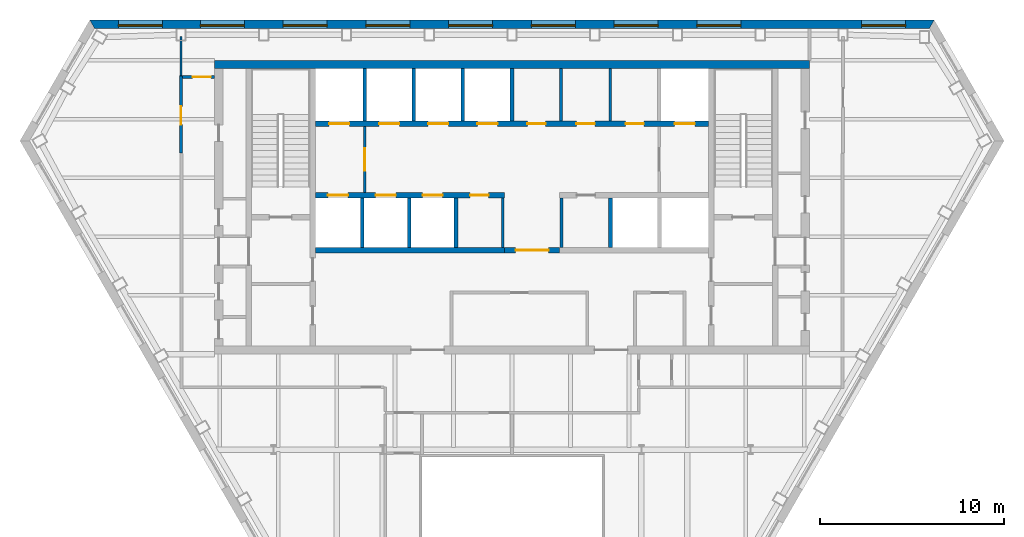
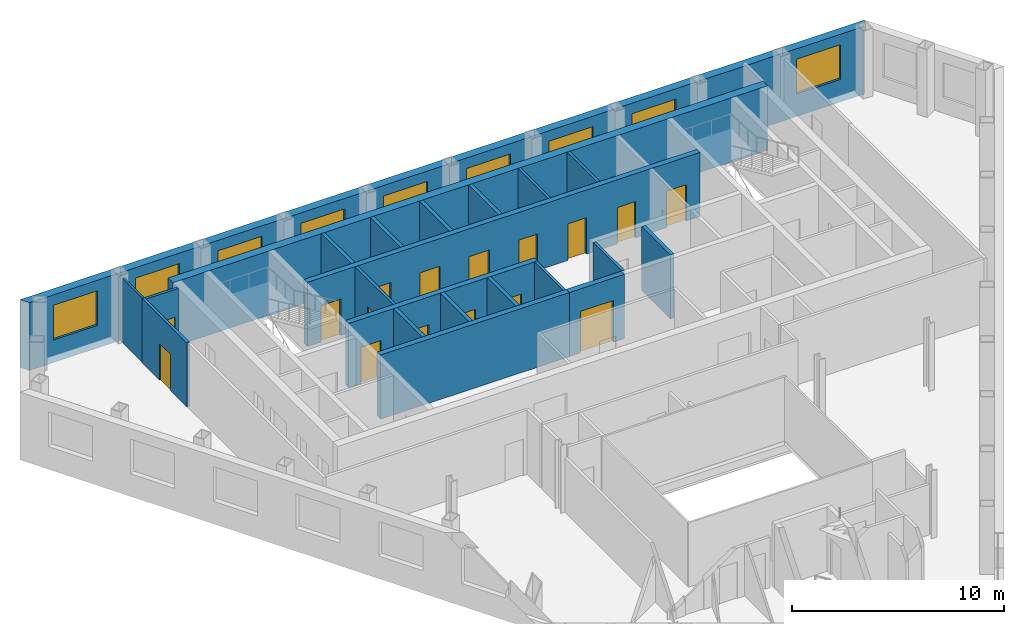
# One storey, part 6 of 10: 22 walls, 16 doors, 9 windows, 25 openings.
"""IFC4 building model written with IfcOpenShell, lengths in metres."""

from ifc_helpers import new_model, si_unit, direction, frame, frame_2d, origin, place, context, subcontext, project, spatial, polyline, rectangle, outline, extrude, material, layer, layer_set, type_object, element, fill, save


model = new_model("IFC4")

# Units and contexts
model_context = context("Model", 3, precision=1e-05, world=origin(), true_north=direction((0.0, 1.0)))
body_context = subcontext(model_context, "Body", "Model", "MODEL_VIEW")
ifc_project = project(units=[si_unit("LENGTHUNIT", "METRE"), si_unit("AREAUNIT", "SQUARE_METRE"), si_unit("VOLUMEUNIT", "CUBIC_METRE"), si_unit("PLANEANGLEUNIT", "RADIAN"), si_unit("MASSUNIT", "GRAM", prefix="KILO")], contexts=[model_context])

# Site, building, storey
site_placement = place(None, origin())
site = spatial("IfcSite", under=ifc_project, at=site_placement, CompositionType="ELEMENT")
building_placement = place(site_placement, origin())
building = spatial("IfcBuilding", under=site, at=building_placement, Name="Njiva Tower", CompositionType="ELEMENT")
storey_placement = place(building_placement, frame((0.0, 0.0, 196.5)))
storey = spatial("IfcBuildingStorey", under=building, at=storey_placement, Name="L43", CompositionType="ELEMENT", Elevation=196.5)

# Walls
ifc_material_1 = material(Name="Blockwork", Category="masonry")
ifc_layer_1 = layer(ifc_material_1, 0.15)
ifc_layer_set_1 = layer_set([ifc_layer_1], Name="Blockwork")
wall_type_1 = type_object("IfcWallType", Name="WT1 Compartment partition 150", PredefinedType="PARTITIONING", material=ifc_layer_set_1)
for number, where, z_axis, x_axis, name in (
    (1, (2.675, 14.7, 0.0), (0.0, 0.0, 1.0), (0.0, 1.0, 0.0), "Partition CN5"),
    (2, (5.35, 14.7, 0.0), (0.0, 0.0, 1.0), (0.0, 1.0, 0.0), "Partition CN6"),
):
    element("IfcWall", number, at=place(storey_placement, frame(where, z_axis=z_axis, x_axis=x_axis)), inside=storey, type_object=wall_type_1, Name=name, PredefinedType="PARTITIONING", context=body_context, shape_type="SweptSolid", body=[
        extrude(rectangle(XDim=2.85, YDim=0.15, at=frame_2d((1.425, 0.0))), origin(), (0.0, 0.0, 1.0), 3.7),
    ])
for number, where, z_axis, x_axis, name in (
    (3, (-0.5, 7.8, 0.0), (0.0, 0.0, 1.0), (0.0, 1.0, 0.0), "Partition CS4"),
    (4, (2.7, 7.8, 0.0), (0.0, 0.0, 1.0), (0.0, 1.0, 0.0), "Partition CS5"),
):
    element("IfcWall", number, at=place(storey_placement, frame(where, z_axis=z_axis, x_axis=x_axis)), inside=storey, type_object=wall_type_1, Name=name, PredefinedType="PARTITIONING", context=body_context, shape_type="SweptSolid", body=[
        extrude(rectangle(XDim=2.7, YDim=0.15, at=frame_2d((1.35, 0.0))), origin(), (0.0, 0.0, 1.0), 3.7),
    ])
ifc_material_2 = material(Name="Concrete C60/75", Category="concrete")
ifc_layer_2 = layer(ifc_material_2, 0.45)
ifc_layer_set_2 = layer_set([ifc_layer_2], Name="Concrete C60/75")
wall_type_2 = type_object("IfcWallType", Name="WT12 Core wall 450", PredefinedType="SHEAR", material=ifc_layer_set_2)
wall_1_placement = place(storey_placement, frame((-16.2, 17.775, 0.0), z_axis=(0.0, 0.0, 1.0), x_axis=(1.0, 0.0, 0.0)))
element("IfcWall", 5, at=wall_1_placement, inside=storey, type_object=wall_type_2, Name="Core wall north", PredefinedType="SHEAR", context=body_context, shape_type="SweptSolid", body=[
    extrude(rectangle(XDim=32.4, YDim=0.45, at=frame_2d((16.2, 0.0))), origin(), (0.0, 0.0, 1.0), 3.7),
])

# Wall, opening, door
ifc_layer_3 = layer(ifc_material_1, 0.15)
ifc_layer_set_3 = layer_set([ifc_layer_3], Name="Blockwork")
wall_type_3 = type_object("IfcWallType", Name="WT2 Lobby partition 150", PredefinedType="PARTITIONING", material=ifc_layer_set_3)
wall_2_placement = place(storey_placement, frame((-8.025, 10.8, 0.0), z_axis=(0.0, 0.0, 1.0), x_axis=(0.0, 1.0, 0.0)))
wall_2 = element("IfcWall", 6, at=wall_2_placement, inside=storey, type_object=wall_type_3, Name="Firefighting lobby wall A", PredefinedType="PARTITIONING", context=body_context, shape_type="SweptSolid", body=[
    extrude(rectangle(XDim=3.6, YDim=0.15, at=frame_2d((1.8, 0.0))), origin(), (0.0, 0.0, 1.0), 3.7),
])
opening_1_placement = place(wall_2_placement, frame((1.175, 0.0, 0.0)))
opening_1 = element("IfcOpeningElement", 7, at=opening_1_placement, cuts=wall_2, Name="Opening S14-D914", PredefinedType="OPENING", context=body_context, shape_type="SweptSolid", body=[
    extrude(rectangle(XDim=1.25, YDim=2.1, at=frame_2d((0.625, 1.05))), frame((0.0, 0.085, 0.0), z_axis=(0.0, -1.0, 0.0), x_axis=(1.0, 0.0, 0.0)), (0.0, 0.0, 1.0), 0.17),
])
ifc_material_3 = material(Name="Glazed steel fire door", Category="steel")
door_type_1 = type_object("IfcDoorType", Name="D8 Vestibule corridor door 1250x2100 glazed", OperationType="SINGLE_SWING_LEFT", PredefinedType="DOOR", material=ifc_material_3)
door_1_placement = place(opening_1_placement, origin())
door_1 = element("IfcDoor", 8, at=door_1_placement, inside=storey, type_object=door_type_1, Name="Stair vestibule corridor door", OperationType="SINGLE_SWING_RIGHT", OverallHeight=2.1, OverallWidth=1.25, PredefinedType="DOOR", context=body_context, shape_type="SweptSolid", body=[
    extrude(rectangle(XDim=1.25, YDim=2.1, at=frame_2d((0.625, 1.05))), frame((0.0, 0.025, 0.0), z_axis=(0.0, -1.0, 0.0), x_axis=(1.0, 0.0, 0.0)), (0.0, 0.0, 1.0), 0.05),
])
fill(opening_1, door_1)

# Wall
ifc_material_4 = material(Name="Gypsum board on steel studs", Category="gypsum")
ifc_layer_4 = layer(ifc_material_4, 0.1)
ifc_layer_set_4 = layer_set([ifc_layer_4], Name="Gypsum board on steel studs")
wall_type_4 = type_object("IfcWallType", Name="WT20 Gypsum partition 100", PredefinedType="PARTITIONING", material=ifc_layer_set_4)
wall_3_placement = place(storey_placement, frame((-18.031, 17.168, 0.0), z_axis=(0.0, 0.0, 1.0), x_axis=(0.0, 1.0, 0.0)))
element("IfcWall", 9, at=wall_3_placement, inside=storey, type_object=wall_type_4, Name="Partition S14-P002", PredefinedType="PARTITIONING", context=body_context, shape_type="SweptSolid", body=[
    extrude(rectangle(XDim=2.132, YDim=0.1, at=frame_2d((1.066, 0.0))), origin(), (0.0, 0.0, 1.0), 3.7),
])

# Wall, opening, door
ifc_layer_5 = layer(ifc_material_4, 0.15)
ifc_layer_set_5 = layer_set([ifc_layer_5], Name="Gypsum board on steel studs")
wall_type_5 = type_object("IfcWallType", Name="WT21 Compartment wall 150", PredefinedType="PARTITIONING", material=ifc_layer_set_5)
wall_4_placement = place(storey_placement, frame((-18.031, 12.943, 0.0), z_axis=(0.0, 0.0, 1.0), x_axis=(0.0, 1.0, 0.0)))
wall_4 = element("IfcWall", 10, at=wall_4_placement, inside=storey, type_object=wall_type_5, Name="Partition S14-P001", PredefinedType="PARTITIONING", context=body_context, shape_type="SweptSolid", body=[
    extrude(rectangle(XDim=4.225, YDim=0.15, at=frame_2d((2.1125, 0.0))), origin(), (0.0, 0.0, 1.0), 3.7),
])
opening_2_placement = place(wall_4_placement, frame((1.556, 0.0, 0.0)))
opening_2 = element("IfcOpeningElement", 11, at=opening_2_placement, cuts=wall_4, Name="Opening S14-D001", PredefinedType="OPENING", context=body_context, shape_type="SweptSolid", body=[
    extrude(rectangle(XDim=1.0, YDim=2.1, at=frame_2d((0.5, 1.05))), frame((0.0, 0.085, 0.0), z_axis=(0.0, -1.0, 0.0), x_axis=(1.0, 0.0, 0.0)), (0.0, 0.0, 1.0), 0.17),
])
ifc_material_5 = material(Name="Steel fire door set", Category="steel")
door_type_2 = type_object("IfcDoorType", Name="D37 Fire door 1000x2100", OperationType="SINGLE_SWING_LEFT", PredefinedType="DOOR", material=ifc_material_5)
door_2_placement = place(opening_2_placement, origin())
door_2 = element("IfcDoor", 12, at=door_2_placement, inside=storey, type_object=door_type_2, Name="Door S14-D001", OperationType="SINGLE_SWING_LEFT", OverallHeight=2.1, OverallWidth=1.0, PredefinedType="DOOR", context=body_context, shape_type="SweptSolid", body=[
    extrude(rectangle(XDim=1.0, YDim=2.1, at=frame_2d((0.5, 1.05))), frame((0.0, 0.025, 0.0), z_axis=(0.0, -1.0, 0.0), x_axis=(1.0, 0.0, 0.0)), (0.0, 0.0, 1.0), 0.05),
])
fill(opening_2, door_2)

wall_5_placement = place(storey_placement, frame((-17.956, 17.093, 0.0), z_axis=(0.0, 0.0, 1.0), x_axis=(1.0, 0.0, 0.0)))
wall_5 = element("IfcWall", 13, at=wall_5_placement, inside=storey, type_object=wall_type_5, Name="Partition S14-P004", PredefinedType="PARTITIONING", context=body_context, shape_type="SweptSolid", body=[
    extrude(rectangle(XDim=1.756, YDim=0.15, at=frame_2d((0.878, 0.0))), origin(), (0.0, 0.0, 1.0), 3.7),
])
opening_3_placement = place(wall_5_placement, frame((0.556, 0.0, 0.0)))
opening_3 = element("IfcOpeningElement", 14, at=opening_3_placement, cuts=wall_5, Name="Opening S14-D002", PredefinedType="OPENING", context=body_context, shape_type="SweptSolid", body=[
    extrude(rectangle(XDim=1.0, YDim=2.1, at=frame_2d((0.5, 1.05))), frame((0.0, 0.085, 0.0), z_axis=(0.0, -1.0, 0.0), x_axis=(1.0, 0.0, 0.0)), (0.0, 0.0, 1.0), 0.17),
])
door_3_placement = place(opening_3_placement, origin())
door_3 = element("IfcDoor", 15, at=door_3_placement, inside=storey, type_object=door_type_2, Name="Door S14-D002", OperationType="SINGLE_SWING_LEFT", OverallHeight=2.1, OverallWidth=1.0, PredefinedType="DOOR", context=body_context, shape_type="SweptSolid", body=[
    extrude(rectangle(XDim=1.0, YDim=2.1, at=frame_2d((0.5, 1.05))), frame((0.0, 0.025, 0.0), z_axis=(0.0, -1.0, 0.0), x_axis=(1.0, 0.0, 0.0)), (0.0, 0.0, 1.0), 0.05),
])
fill(opening_3, door_3)

ifc_layer_6 = layer(ifc_material_1, 0.3)
ifc_layer_set_6 = layer_set([ifc_layer_6], Name="Blockwork")
wall_type_6 = type_object("IfcWallType", Name="WT5 Lobby partition 300", PredefinedType="PARTITIONING", material=ifc_layer_set_6)
wall_6_placement = place(storey_placement, frame((-0.4, 7.65, 0.0), z_axis=(0.0, 0.0, 1.0), x_axis=(1.0, 0.0, 0.0)))
wall_6 = element("IfcWall", 16, at=wall_6_placement, inside=storey, type_object=wall_type_6, Name="Lift lobby screen wall", PredefinedType="PARTITIONING", context=body_context, shape_type="SweptSolid", body=[
    extrude(rectangle(XDim=3.0, YDim=0.3, at=frame_2d((1.5, 0.0))), origin(), (0.0, 0.0, 1.0), 3.7),
])
opening_4_placement = place(wall_6_placement, frame((0.6, 0.0, 0.0)))
opening_4 = element("IfcOpeningElement", 17, at=opening_4_placement, cuts=wall_6, Name="Opening S14-D936", PredefinedType="OPENING", context=body_context, shape_type="SweptSolid", body=[
    extrude(rectangle(XDim=1.8, YDim=2.4, at=frame_2d((0.9, 1.2))), frame((0.0, 0.16, 0.0), z_axis=(0.0, -1.0, 0.0), x_axis=(1.0, 0.0, 0.0)), (0.0, 0.0, 1.0), 0.32),
])
ifc_material_6 = material(Name="Steel and glass door", Category="steel")
door_type_3 = type_object("IfcDoorType", Name="D3 Core entrance door 1800x2400", OperationType="DOUBLE_DOOR_SINGLE_SWING", PredefinedType="DOOR", material=ifc_material_6)
door_4_placement = place(opening_4_placement, origin())
door_4 = element("IfcDoor", 18, at=door_4_placement, inside=storey, type_object=door_type_3, Name="Core entrance door", OperationType="DOUBLE_DOOR_SINGLE_SWING", OverallHeight=2.4, OverallWidth=1.8, PredefinedType="DOOR", context=body_context, shape_type="SweptSolid", body=[
    extrude(rectangle(XDim=1.8, YDim=2.4, at=frame_2d((0.9, 1.2))), frame((0.0, 0.025, 0.0), z_axis=(0.0, -1.0, 0.0), x_axis=(1.0, 0.0, 0.0)), (0.0, 0.0, 1.0), 0.05),
])
fill(opening_4, door_4)

# Walls
ifc_material_7 = material(Name="Concrete C40/50", Category="concrete")
ifc_layer_7 = layer(ifc_material_7, 0.2)
ifc_layer_set_7 = layer_set([ifc_layer_7], Name="Concrete C40/50")
wall_type_7 = type_object("IfcWallType", Name="WT6 Lift shaft wall 200", PredefinedType="SHEAR", material=ifc_layer_set_7)
for number, where, z_axis, x_axis, name in (
    (19, (-8.025, 14.7, 0.0), (0.0, 0.0, 1.0), (0.0, 1.0, 0.0), "Shaft wall CN1"),
    (20, (-5.35, 14.7, 0.0), (0.0, 0.0, 1.0), (0.0, 1.0, 0.0), "Shaft wall CN2"),
    (21, (-2.675, 14.7, 0.0), (0.0, 0.0, 1.0), (0.0, 1.0, 0.0), "Shaft wall CN3"),
    (22, (0.0, 14.7, 0.0), (0.0, 0.0, 1.0), (0.0, 1.0, 0.0), "Shaft wall CN4"),
):
    element("IfcWall", number, at=place(storey_placement, frame(where, z_axis=z_axis, x_axis=x_axis)), inside=storey, type_object=wall_type_7, Name=name, PredefinedType="SHEAR", context=body_context, shape_type="SweptSolid", body=[
        extrude(rectangle(XDim=2.85, YDim=0.2, at=frame_2d((1.425, 0.0))), origin(), (0.0, 0.0, 1.0), 3.7),
    ])
for number, where, z_axis, x_axis, name in (
    (23, (-8.15, 7.8, 0.0), (0.0, 0.0, 1.0), (0.0, 1.0, 0.0), "Shaft wall CS1"),
    (24, (-5.6, 7.8, 0.0), (0.0, 0.0, 1.0), (0.0, 1.0, 0.0), "Shaft wall CS2"),
    (25, (-3.05, 7.8, 0.0), (0.0, 0.0, 1.0), (0.0, 1.0, 0.0), "Shaft wall CS3"),
    (26, (5.3667, 7.8, 0.0), (0.0, 0.0, 1.0), (0.0, 1.0, 0.0), "Shaft wall CS6"),
):
    element("IfcWall", number, at=place(storey_placement, frame(where, z_axis=z_axis, x_axis=x_axis)), inside=storey, type_object=wall_type_7, Name=name, PredefinedType="SHEAR", context=body_context, shape_type="SweptSolid", body=[
        extrude(rectangle(XDim=2.7, YDim=0.2, at=frame_2d((1.35, 0.0))), origin(), (0.0, 0.0, 1.0), 3.7),
    ])

# Wall, openings, doors
ifc_layer_8 = layer(ifc_material_7, 0.3)
ifc_layer_set_8 = layer_set([ifc_layer_8], Name="Concrete C40/50")
wall_type_8 = type_object("IfcWallType", Name="WT7 Lift shaft wall 300", PredefinedType="SHEAR", material=ifc_layer_set_8)
wall_7_placement = place(storey_placement, frame((-10.7, 14.55, 0.0), z_axis=(0.0, 0.0, 1.0), x_axis=(1.0, 0.0, 0.0)))
wall_7 = element("IfcWall", 27, at=wall_7_placement, inside=storey, type_object=wall_type_8, Name="Shaft wall north row lobby side", PredefinedType="SHEAR", context=body_context, shape_type="SweptSolid", body=[
    extrude(rectangle(XDim=21.4, YDim=0.3, at=frame_2d((10.7, 0.0))), origin(), (0.0, 0.0, 1.0), 3.7),
])
opening_5_placement = place(wall_7_placement, frame((0.7375, 0.0, 0.0)))
opening_5 = element("IfcOpeningElement", 28, at=opening_5_placement, cuts=wall_7, Name="Opening S14-D901", PredefinedType="OPENING", context=body_context, shape_type="SweptSolid", body=[
    extrude(rectangle(XDim=1.1, YDim=2.1, at=frame_2d((0.55, 1.05))), frame((0.0, 0.16, 0.0), z_axis=(0.0, -1.0, 0.0), x_axis=(1.0, 0.0, 0.0)), (0.0, 0.0, 1.0), 0.32),
])
opening_6_placement = place(wall_7_placement, frame((3.4625, 0.0, 0.0)))
opening_6 = element("IfcOpeningElement", 29, at=opening_6_placement, cuts=wall_7, Name="Opening S14-D902", PredefinedType="OPENING", context=body_context, shape_type="SweptSolid", body=[
    extrude(rectangle(XDim=1.1, YDim=2.1, at=frame_2d((0.55, 1.05))), frame((0.0, 0.16, 0.0), z_axis=(0.0, -1.0, 0.0), x_axis=(1.0, 0.0, 0.0)), (0.0, 0.0, 1.0), 0.32),
])
opening_7_placement = place(wall_7_placement, frame((6.1375, 0.0, 0.0)))
opening_7 = element("IfcOpeningElement", 30, at=opening_7_placement, cuts=wall_7, Name="Opening S14-D903", PredefinedType="OPENING", context=body_context, shape_type="SweptSolid", body=[
    extrude(rectangle(XDim=1.1, YDim=2.1, at=frame_2d((0.55, 1.05))), frame((0.0, 0.16, 0.0), z_axis=(0.0, -1.0, 0.0), x_axis=(1.0, 0.0, 0.0)), (0.0, 0.0, 1.0), 0.32),
])
opening_8_placement = place(wall_7_placement, frame((8.8125, 0.0, 0.0)))
opening_8 = element("IfcOpeningElement", 31, at=opening_8_placement, cuts=wall_7, Name="Opening S14-D904", PredefinedType="OPENING", context=body_context, shape_type="SweptSolid", body=[
    extrude(rectangle(XDim=1.1, YDim=2.1, at=frame_2d((0.55, 1.05))), frame((0.0, 0.16, 0.0), z_axis=(0.0, -1.0, 0.0), x_axis=(1.0, 0.0, 0.0)), (0.0, 0.0, 1.0), 0.32),
])
opening_9_placement = place(wall_7_placement, frame((19.5625, 0.0, 0.0)))
opening_9 = element("IfcOpeningElement", 32, at=opening_9_placement, cuts=wall_7, Name="Opening S14-D905", PredefinedType="OPENING", context=body_context, shape_type="SweptSolid", body=[
    extrude(rectangle(XDim=1.1, YDim=2.1, at=frame_2d((0.55, 1.05))), frame((0.0, 0.16, 0.0), z_axis=(0.0, -1.0, 0.0), x_axis=(1.0, 0.0, 0.0)), (0.0, 0.0, 1.0), 0.32),
])
opening_10_placement = place(wall_7_placement, frame((11.5375, 0.0, 0.0)))
opening_10 = element("IfcOpeningElement", 33, at=opening_10_placement, cuts=wall_7, Name="Opening S14-D909", PredefinedType="OPENING", context=body_context, shape_type="SweptSolid", body=[
    extrude(rectangle(XDim=1.0, YDim=2.1, at=frame_2d((0.5, 1.05))), frame((0.0, 0.16, 0.0), z_axis=(0.0, -1.0, 0.0), x_axis=(1.0, 0.0, 0.0)), (0.0, 0.0, 1.0), 0.32),
])
opening_11_placement = place(wall_7_placement, frame((14.2125, 0.0, 0.0)))
opening_11 = element("IfcOpeningElement", 34, at=opening_11_placement, cuts=wall_7, Name="Opening S14-D910", PredefinedType="OPENING", context=body_context, shape_type="SweptSolid", body=[
    extrude(rectangle(XDim=1.0, YDim=2.1, at=frame_2d((0.5, 1.05))), frame((0.0, 0.16, 0.0), z_axis=(0.0, -1.0, 0.0), x_axis=(1.0, 0.0, 0.0)), (0.0, 0.0, 1.0), 0.32),
])
opening_12_placement = place(wall_7_placement, frame((16.8875, 0.0, 0.0)))
opening_12 = element("IfcOpeningElement", 35, at=opening_12_placement, cuts=wall_7, Name="Opening S14-D911", PredefinedType="OPENING", context=body_context, shape_type="SweptSolid", body=[
    extrude(rectangle(XDim=1.0, YDim=2.1, at=frame_2d((0.5, 1.05))), frame((0.0, 0.16, 0.0), z_axis=(0.0, -1.0, 0.0), x_axis=(1.0, 0.0, 0.0)), (0.0, 0.0, 1.0), 0.32),
])
ifc_material_8 = material(Name="Steel door, painted", Category="steel")
door_type_4 = type_object("IfcDoorType", Name="D5 Steel door 1000x2100", OperationType="SINGLE_SWING_LEFT", PredefinedType="DOOR", material=ifc_material_8)
door_5_placement = place(opening_10_placement, origin())
door_5 = element("IfcDoor", 36, at=door_5_placement, inside=storey, type_object=door_type_4, Name="First aid room door", OperationType="SINGLE_SWING_LEFT", OverallHeight=2.1, OverallWidth=1.0, PredefinedType="DOOR", context=body_context, shape_type="SweptSolid", body=[
    extrude(rectangle(XDim=1.0, YDim=2.1, at=frame_2d((0.5, 1.05))), frame((0.0, 0.025, 0.0), z_axis=(0.0, -1.0, 0.0), x_axis=(1.0, 0.0, 0.0)), (0.0, 0.0, 1.0), 0.05),
])
fill(opening_10, door_5)
door_6_placement = place(opening_11_placement, origin())
door_6 = element("IfcDoor", 37, at=door_6_placement, inside=storey, type_object=door_type_4, Name="Breakout room door", OperationType="SINGLE_SWING_LEFT", OverallHeight=2.1, OverallWidth=1.0, PredefinedType="DOOR", context=body_context, shape_type="SweptSolid", body=[
    extrude(rectangle(XDim=1.0, YDim=2.1, at=frame_2d((0.5, 1.05))), frame((0.0, 0.025, 0.0), z_axis=(0.0, -1.0, 0.0), x_axis=(1.0, 0.0, 0.0)), (0.0, 0.0, 1.0), 0.05),
])
fill(opening_11, door_6)
door_7_placement = place(opening_12_placement, origin())
door_7 = element("IfcDoor", 38, at=door_7_placement, inside=storey, type_object=door_type_4, Name="Reading room door", OperationType="SINGLE_SWING_LEFT", OverallHeight=2.1, OverallWidth=1.0, PredefinedType="DOOR", context=body_context, shape_type="SweptSolid", body=[
    extrude(rectangle(XDim=1.0, YDim=2.1, at=frame_2d((0.5, 1.05))), frame((0.0, 0.025, 0.0), z_axis=(0.0, -1.0, 0.0), x_axis=(1.0, 0.0, 0.0)), (0.0, 0.0, 1.0), 0.05),
])
fill(opening_12, door_7)
ifc_material_9 = material(Name="Stainless steel sliding door", Category="steel")
door_type_5 = type_object("IfcDoorType", Name="LD Lift landing door 1100x2100", OperationType="SLIDING_TO_LEFT", PredefinedType="DOOR", material=ifc_material_9)
door_8_placement = place(opening_5_placement, origin())
door_8 = element("IfcDoor", 39, at=door_8_placement, inside=storey, type_object=door_type_5, Name="Lift landing door FF1", OperationType="SLIDING_TO_LEFT", OverallHeight=2.1, OverallWidth=1.1, PredefinedType="DOOR", context=body_context, shape_type="SweptSolid", body=[
    extrude(rectangle(XDim=1.1, YDim=2.1, at=frame_2d((0.55, 1.05))), frame((0.0, 0.025, 0.0), z_axis=(0.0, -1.0, 0.0), x_axis=(1.0, 0.0, 0.0)), (0.0, 0.0, 1.0), 0.05),
])
fill(opening_5, door_8)
door_9_placement = place(opening_6_placement, origin())
door_9 = element("IfcDoor", 40, at=door_9_placement, inside=storey, type_object=door_type_5, Name="Lift landing door MB4", OperationType="SLIDING_TO_LEFT", OverallHeight=2.1, OverallWidth=1.1, PredefinedType="DOOR", context=body_context, shape_type="SweptSolid", body=[
    extrude(rectangle(XDim=1.1, YDim=2.1, at=frame_2d((0.55, 1.05))), frame((0.0, 0.025, 0.0), z_axis=(0.0, -1.0, 0.0), x_axis=(1.0, 0.0, 0.0)), (0.0, 0.0, 1.0), 0.05),
])
fill(opening_6, door_9)
door_10_placement = place(opening_7_placement, origin())
door_10 = element("IfcDoor", 41, at=door_10_placement, inside=storey, type_object=door_type_5, Name="Lift landing door MB5", OperationType="SLIDING_TO_LEFT", OverallHeight=2.1, OverallWidth=1.1, PredefinedType="DOOR", context=body_context, shape_type="SweptSolid", body=[
    extrude(rectangle(XDim=1.1, YDim=2.1, at=frame_2d((0.55, 1.05))), frame((0.0, 0.025, 0.0), z_axis=(0.0, -1.0, 0.0), x_axis=(1.0, 0.0, 0.0)), (0.0, 0.0, 1.0), 0.05),
])
fill(opening_7, door_10)
door_11_placement = place(opening_8_placement, origin())
door_11 = element("IfcDoor", 42, at=door_11_placement, inside=storey, type_object=door_type_5, Name="Lift landing door MB6", OperationType="SLIDING_TO_LEFT", OverallHeight=2.1, OverallWidth=1.1, PredefinedType="DOOR", context=body_context, shape_type="SweptSolid", body=[
    extrude(rectangle(XDim=1.1, YDim=2.1, at=frame_2d((0.55, 1.05))), frame((0.0, 0.025, 0.0), z_axis=(0.0, -1.0, 0.0), x_axis=(1.0, 0.0, 0.0)), (0.0, 0.0, 1.0), 0.05),
])
fill(opening_8, door_11)
door_12_placement = place(opening_9_placement, origin())
door_12 = element("IfcDoor", 43, at=door_12_placement, inside=storey, type_object=door_type_5, Name="Lift landing door FF2", OperationType="SLIDING_TO_LEFT", OverallHeight=2.1, OverallWidth=1.1, PredefinedType="DOOR", context=body_context, shape_type="SweptSolid", body=[
    extrude(rectangle(XDim=1.1, YDim=2.1, at=frame_2d((0.55, 1.05))), frame((0.0, 0.025, 0.0), z_axis=(0.0, -1.0, 0.0), x_axis=(1.0, 0.0, 0.0)), (0.0, 0.0, 1.0), 0.05),
])
fill(opening_9, door_12)

wall_8_placement = place(storey_placement, frame((-10.7, 10.65, 0.0), z_axis=(0.0, 0.0, 1.0), x_axis=(1.0, 0.0, 0.0)))
wall_8 = element("IfcWall", 44, at=wall_8_placement, inside=storey, type_object=wall_type_8, Name="Shaft wall south row lobby side W", PredefinedType="SHEAR", context=body_context, shape_type="SweptSolid", body=[
    extrude(rectangle(XDim=10.3, YDim=0.3, at=frame_2d((5.15, 0.0))), origin(), (0.0, 0.0, 1.0), 3.7),
])
opening_13_placement = place(wall_8_placement, frame((0.675, 0.0, 0.0)))
opening_13 = element("IfcOpeningElement", 45, at=opening_13_placement, cuts=wall_8, Name="Opening S14-D906", PredefinedType="OPENING", context=body_context, shape_type="SweptSolid", body=[
    extrude(rectangle(XDim=1.1, YDim=2.1, at=frame_2d((0.55, 1.05))), frame((0.0, 0.16, 0.0), z_axis=(0.0, -1.0, 0.0), x_axis=(1.0, 0.0, 0.0)), (0.0, 0.0, 1.0), 0.32),
])
opening_14_placement = place(wall_8_placement, frame((3.275, 0.0, 0.0)))
opening_14 = element("IfcOpeningElement", 46, at=opening_14_placement, cuts=wall_8, Name="Opening S14-D907", PredefinedType="OPENING", context=body_context, shape_type="SweptSolid", body=[
    extrude(rectangle(XDim=1.1, YDim=2.1, at=frame_2d((0.55, 1.05))), frame((0.0, 0.16, 0.0), z_axis=(0.0, -1.0, 0.0), x_axis=(1.0, 0.0, 0.0)), (0.0, 0.0, 1.0), 0.32),
])
opening_15_placement = place(wall_8_placement, frame((5.825, 0.0, 0.0)))
opening_15 = element("IfcOpeningElement", 47, at=opening_15_placement, cuts=wall_8, Name="Opening S14-D908", PredefinedType="OPENING", context=body_context, shape_type="SweptSolid", body=[
    extrude(rectangle(XDim=1.1, YDim=2.1, at=frame_2d((0.55, 1.05))), frame((0.0, 0.16, 0.0), z_axis=(0.0, -1.0, 0.0), x_axis=(1.0, 0.0, 0.0)), (0.0, 0.0, 1.0), 0.32),
])
opening_16_placement = place(wall_8_placement, frame((8.425, 0.0, 0.0)))
opening_16 = element("IfcOpeningElement", 48, at=opening_16_placement, cuts=wall_8, Name="Opening S14-D912", PredefinedType="OPENING", context=body_context, shape_type="SweptSolid", body=[
    extrude(rectangle(XDim=1.0, YDim=2.1, at=frame_2d((0.5, 1.05))), frame((0.0, 0.16, 0.0), z_axis=(0.0, -1.0, 0.0), x_axis=(1.0, 0.0, 0.0)), (0.0, 0.0, 1.0), 0.32),
])
door_13_placement = place(opening_16_placement, origin())
door_13 = element("IfcDoor", 49, at=door_13_placement, inside=storey, type_object=door_type_4, Name="Quiet room door", OperationType="SINGLE_SWING_RIGHT", OverallHeight=2.1, OverallWidth=1.0, PredefinedType="DOOR", context=body_context, shape_type="SweptSolid", body=[
    extrude(rectangle(XDim=1.0, YDim=2.1, at=frame_2d((0.5, 1.05))), frame((0.0, 0.025, 0.0), z_axis=(0.0, -1.0, 0.0), x_axis=(1.0, 0.0, 0.0)), (0.0, 0.0, 1.0), 0.05),
])
fill(opening_16, door_13)
door_14_placement = place(opening_13_placement, origin())
door_14 = element("IfcDoor", 50, at=door_14_placement, inside=storey, type_object=door_type_5, Name="Lift landing door MB1", OperationType="SLIDING_TO_LEFT", OverallHeight=2.1, OverallWidth=1.1, PredefinedType="DOOR", context=body_context, shape_type="SweptSolid", body=[
    extrude(rectangle(XDim=1.1, YDim=2.1, at=frame_2d((0.55, 1.05))), frame((0.0, 0.025, 0.0), z_axis=(0.0, -1.0, 0.0), x_axis=(1.0, 0.0, 0.0)), (0.0, 0.0, 1.0), 0.05),
])
fill(opening_13, door_14)
door_15_placement = place(opening_14_placement, origin())
door_15 = element("IfcDoor", 51, at=door_15_placement, inside=storey, type_object=door_type_5, Name="Lift landing door MB2", OperationType="SLIDING_TO_LEFT", OverallHeight=2.1, OverallWidth=1.1, PredefinedType="DOOR", context=body_context, shape_type="SweptSolid", body=[
    extrude(rectangle(XDim=1.1, YDim=2.1, at=frame_2d((0.55, 1.05))), frame((0.0, 0.025, 0.0), z_axis=(0.0, -1.0, 0.0), x_axis=(1.0, 0.0, 0.0)), (0.0, 0.0, 1.0), 0.05),
])
fill(opening_14, door_15)
door_16_placement = place(opening_15_placement, origin())
door_16 = element("IfcDoor", 52, at=door_16_placement, inside=storey, type_object=door_type_5, Name="Lift landing door MB3", OperationType="SLIDING_TO_LEFT", OverallHeight=2.1, OverallWidth=1.1, PredefinedType="DOOR", context=body_context, shape_type="SweptSolid", body=[
    extrude(rectangle(XDim=1.1, YDim=2.1, at=frame_2d((0.55, 1.05))), frame((0.0, 0.025, 0.0), z_axis=(0.0, -1.0, 0.0), x_axis=(1.0, 0.0, 0.0)), (0.0, 0.0, 1.0), 0.05),
])
fill(opening_15, door_16)

# Wall
wall_9_placement = place(storey_placement, frame((-10.7, 7.65, 0.0), z_axis=(0.0, 0.0, 1.0), x_axis=(1.0, 0.0, 0.0)))
element("IfcWall", 53, at=wall_9_placement, inside=storey, type_object=wall_type_8, Name="Shaft wall south row back W", PredefinedType="SHEAR", context=body_context, shape_type="SweptSolid", body=[
    extrude(rectangle(XDim=10.3, YDim=0.3, at=frame_2d((5.15, 0.0))), origin(), (0.0, 0.0, 1.0), 3.7),
])

# Wall, openings, windows
ifc_material_10 = material(Name="Brick masonry", Category="masonry")
ifc_layer_9 = layer(ifc_material_10, 0.45)
ifc_layer_set_9 = layer_set([ifc_layer_9], Name="Brick masonry")
wall_type_9 = type_object("IfcWallType", Name="WT90 Brick pier and spandrel wall 450", PredefinedType="SOLIDWALL", material=ifc_layer_set_9)
wall_10_placement = place(storey_placement, frame((22.8701, 19.975, -0.4), z_axis=(0.0, 0.0, 1.0), x_axis=(-1.0, 0.0, 0.0)))
wall_10 = element("IfcWall", 54, at=wall_10_placement, inside=storey, type_object=wall_type_9, Name="Facade wall N", PredefinedType="SOLIDWALL", context=body_context, shape_type="SweptSolid", body=[
    extrude(outline(polyline([(-0.1299, -0.225), (45.8701, -0.225), (45.6103, 0.225), (0.1299, 0.225), (-0.1299, -0.225)])), origin(), (0.0, 0.0, 1.0), 3.9),
])
opening_17_placement = place(wall_10_placement, frame((1.4242, 0.0, 1.3)))
opening_17 = element("IfcOpeningElement", 55, at=opening_17_placement, cuts=wall_10, Name="Opening S14-W01", PredefinedType="OPENING", context=body_context, shape_type="SweptSolid", body=[
    extrude(rectangle(XDim=2.4, YDim=2.0, at=frame_2d((1.2, 1.0))), frame((0.0, 0.235, 0.0), z_axis=(0.0, -1.0, 0.0), x_axis=(1.0, 0.0, 0.0)), (0.0, 0.0, 1.0), 0.47),
])
opening_18_placement = place(wall_10_placement, frame((10.401, 0.0, 1.3)))
opening_18 = element("IfcOpeningElement", 56, at=opening_18_placement, cuts=wall_10, Name="Opening S14-W02", PredefinedType="OPENING", context=body_context, shape_type="SweptSolid", body=[
    extrude(rectangle(XDim=2.4, YDim=2.0, at=frame_2d((1.2, 1.0))), frame((0.0, 0.235, 0.0), z_axis=(0.0, -1.0, 0.0), x_axis=(1.0, 0.0, 0.0)), (0.0, 0.0, 1.0), 0.47),
])
opening_19_placement = place(wall_10_placement, frame((14.9087, 0.0, 1.3)))
opening_19 = element("IfcOpeningElement", 57, at=opening_19_placement, cuts=wall_10, Name="Opening S14-W03", PredefinedType="OPENING", context=body_context, shape_type="SweptSolid", body=[
    extrude(rectangle(XDim=2.4, YDim=2.0, at=frame_2d((1.2, 1.0))), frame((0.0, 0.235, 0.0), z_axis=(0.0, -1.0, 0.0), x_axis=(1.0, 0.0, 0.0)), (0.0, 0.0, 1.0), 0.47),
])
opening_20_placement = place(wall_10_placement, frame((19.4163, 0.0, 1.3)))
opening_20 = element("IfcOpeningElement", 58, at=opening_20_placement, cuts=wall_10, Name="Opening S14-W04", PredefinedType="OPENING", context=body_context, shape_type="SweptSolid", body=[
    extrude(rectangle(XDim=2.4, YDim=2.0, at=frame_2d((1.2, 1.0))), frame((0.0, 0.235, 0.0), z_axis=(0.0, -1.0, 0.0), x_axis=(1.0, 0.0, 0.0)), (0.0, 0.0, 1.0), 0.47),
])
opening_21_placement = place(wall_10_placement, frame((23.9239, 0.0, 1.3)))
opening_21 = element("IfcOpeningElement", 59, at=opening_21_placement, cuts=wall_10, Name="Opening S14-W05", PredefinedType="OPENING", context=body_context, shape_type="SweptSolid", body=[
    extrude(rectangle(XDim=2.4, YDim=2.0, at=frame_2d((1.2, 1.0))), frame((0.0, 0.235, 0.0), z_axis=(0.0, -1.0, 0.0), x_axis=(1.0, 0.0, 0.0)), (0.0, 0.0, 1.0), 0.47),
])
opening_22_placement = place(wall_10_placement, frame((28.4315, 0.0, 1.3)))
opening_22 = element("IfcOpeningElement", 60, at=opening_22_placement, cuts=wall_10, Name="Opening S14-W06", PredefinedType="OPENING", context=body_context, shape_type="SweptSolid", body=[
    extrude(rectangle(XDim=2.4, YDim=2.0, at=frame_2d((1.2, 1.0))), frame((0.0, 0.235, 0.0), z_axis=(0.0, -1.0, 0.0), x_axis=(1.0, 0.0, 0.0)), (0.0, 0.0, 1.0), 0.47),
])
opening_23_placement = place(wall_10_placement, frame((32.9391, 0.0, 1.3)))
opening_23 = element("IfcOpeningElement", 61, at=opening_23_placement, cuts=wall_10, Name="Opening S14-W07", PredefinedType="OPENING", context=body_context, shape_type="SweptSolid", body=[
    extrude(rectangle(XDim=2.4, YDim=2.0, at=frame_2d((1.2, 1.0))), frame((0.0, 0.235, 0.0), z_axis=(0.0, -1.0, 0.0), x_axis=(1.0, 0.0, 0.0)), (0.0, 0.0, 1.0), 0.47),
])
opening_24_placement = place(wall_10_placement, frame((37.4468, 0.0, 1.3)))
opening_24 = element("IfcOpeningElement", 62, at=opening_24_placement, cuts=wall_10, Name="Opening S14-W08", PredefinedType="OPENING", context=body_context, shape_type="SweptSolid", body=[
    extrude(rectangle(XDim=2.4, YDim=2.0, at=frame_2d((1.2, 1.0))), frame((0.0, 0.235, 0.0), z_axis=(0.0, -1.0, 0.0), x_axis=(1.0, 0.0, 0.0)), (0.0, 0.0, 1.0), 0.47),
])
opening_25_placement = place(wall_10_placement, frame((41.916, 0.0, 1.3)))
opening_25 = element("IfcOpeningElement", 63, at=opening_25_placement, cuts=wall_10, Name="Opening S14-W09", PredefinedType="OPENING", context=body_context, shape_type="SweptSolid", body=[
    extrude(rectangle(XDim=2.4, YDim=2.0, at=frame_2d((1.2, 1.0))), frame((0.0, 0.235, 0.0), z_axis=(0.0, -1.0, 0.0), x_axis=(1.0, 0.0, 0.0)), (0.0, 0.0, 1.0), 0.47),
])
ifc_material_11 = material(Name="Clear glazing in aluminium frame", Category="aluminium")
window_type = type_object("IfcWindowType", Name="W90 Deep-set window 2400x2000", PartitioningType="SINGLE_PANEL", PredefinedType="WINDOW", material=ifc_material_11)
window_1_placement = place(opening_17_placement, origin())
window_1 = element("IfcWindow", 64, at=window_1_placement, inside=storey, type_object=window_type, Name="Window", OverallHeight=2.0, OverallWidth=2.4, PartitioningType="SINGLE_PANEL", PredefinedType="WINDOW", context=body_context, shape_type="SweptSolid", body=[
    extrude(rectangle(XDim=2.4, YDim=2.0, at=frame_2d((1.2, 1.0))), frame((0.0, 0.105, 0.0), z_axis=(0.0, -1.0, 0.0), x_axis=(1.0, 0.0, 0.0)), (0.0, 0.0, 1.0), 0.06),
])
fill(opening_17, window_1)
window_2_placement = place(opening_18_placement, origin())
window_2 = element("IfcWindow", 65, at=window_2_placement, inside=storey, type_object=window_type, Name="Window", OverallHeight=2.0, OverallWidth=2.4, PartitioningType="SINGLE_PANEL", PredefinedType="WINDOW", context=body_context, shape_type="SweptSolid", body=[
    extrude(rectangle(XDim=2.4, YDim=2.0, at=frame_2d((1.2, 1.0))), frame((0.0, 0.105, 0.0), z_axis=(0.0, -1.0, 0.0), x_axis=(1.0, 0.0, 0.0)), (0.0, 0.0, 1.0), 0.06),
])
fill(opening_18, window_2)
window_3_placement = place(opening_19_placement, origin())
window_3 = element("IfcWindow", 66, at=window_3_placement, inside=storey, type_object=window_type, Name="Window", OverallHeight=2.0, OverallWidth=2.4, PartitioningType="SINGLE_PANEL", PredefinedType="WINDOW", context=body_context, shape_type="SweptSolid", body=[
    extrude(rectangle(XDim=2.4, YDim=2.0, at=frame_2d((1.2, 1.0))), frame((0.0, 0.105, 0.0), z_axis=(0.0, -1.0, 0.0), x_axis=(1.0, 0.0, 0.0)), (0.0, 0.0, 1.0), 0.06),
])
fill(opening_19, window_3)
window_4_placement = place(opening_20_placement, origin())
window_4 = element("IfcWindow", 67, at=window_4_placement, inside=storey, type_object=window_type, Name="Window", OverallHeight=2.0, OverallWidth=2.4, PartitioningType="SINGLE_PANEL", PredefinedType="WINDOW", context=body_context, shape_type="SweptSolid", body=[
    extrude(rectangle(XDim=2.4, YDim=2.0, at=frame_2d((1.2, 1.0))), frame((0.0, 0.105, 0.0), z_axis=(0.0, -1.0, 0.0), x_axis=(1.0, 0.0, 0.0)), (0.0, 0.0, 1.0), 0.06),
])
fill(opening_20, window_4)
window_5_placement = place(opening_21_placement, origin())
window_5 = element("IfcWindow", 68, at=window_5_placement, inside=storey, type_object=window_type, Name="Window", OverallHeight=2.0, OverallWidth=2.4, PartitioningType="SINGLE_PANEL", PredefinedType="WINDOW", context=body_context, shape_type="SweptSolid", body=[
    extrude(rectangle(XDim=2.4, YDim=2.0, at=frame_2d((1.2, 1.0))), frame((0.0, 0.105, 0.0), z_axis=(0.0, -1.0, 0.0), x_axis=(1.0, 0.0, 0.0)), (0.0, 0.0, 1.0), 0.06),
])
fill(opening_21, window_5)
window_6_placement = place(opening_22_placement, origin())
window_6 = element("IfcWindow", 69, at=window_6_placement, inside=storey, type_object=window_type, Name="Window", OverallHeight=2.0, OverallWidth=2.4, PartitioningType="SINGLE_PANEL", PredefinedType="WINDOW", context=body_context, shape_type="SweptSolid", body=[
    extrude(rectangle(XDim=2.4, YDim=2.0, at=frame_2d((1.2, 1.0))), frame((0.0, 0.105, 0.0), z_axis=(0.0, -1.0, 0.0), x_axis=(1.0, 0.0, 0.0)), (0.0, 0.0, 1.0), 0.06),
])
fill(opening_22, window_6)
window_7_placement = place(opening_23_placement, origin())
window_7 = element("IfcWindow", 70, at=window_7_placement, inside=storey, type_object=window_type, Name="Window", OverallHeight=2.0, OverallWidth=2.4, PartitioningType="SINGLE_PANEL", PredefinedType="WINDOW", context=body_context, shape_type="SweptSolid", body=[
    extrude(rectangle(XDim=2.4, YDim=2.0, at=frame_2d((1.2, 1.0))), frame((0.0, 0.105, 0.0), z_axis=(0.0, -1.0, 0.0), x_axis=(1.0, 0.0, 0.0)), (0.0, 0.0, 1.0), 0.06),
])
fill(opening_23, window_7)
window_8_placement = place(opening_24_placement, origin())
window_8 = element("IfcWindow", 71, at=window_8_placement, inside=storey, type_object=window_type, Name="Window", OverallHeight=2.0, OverallWidth=2.4, PartitioningType="SINGLE_PANEL", PredefinedType="WINDOW", context=body_context, shape_type="SweptSolid", body=[
    extrude(rectangle(XDim=2.4, YDim=2.0, at=frame_2d((1.2, 1.0))), frame((0.0, 0.105, 0.0), z_axis=(0.0, -1.0, 0.0), x_axis=(1.0, 0.0, 0.0)), (0.0, 0.0, 1.0), 0.06),
])
fill(opening_24, window_8)
window_9_placement = place(opening_25_placement, origin())
window_9 = element("IfcWindow", 72, at=window_9_placement, inside=storey, type_object=window_type, Name="Window", OverallHeight=2.0, OverallWidth=2.4, PartitioningType="SINGLE_PANEL", PredefinedType="WINDOW", context=body_context, shape_type="SweptSolid", body=[
    extrude(rectangle(XDim=2.4, YDim=2.0, at=frame_2d((1.2, 1.0))), frame((0.0, 0.105, 0.0), z_axis=(0.0, -1.0, 0.0), x_axis=(1.0, 0.0, 0.0)), (0.0, 0.0, 1.0), 0.06),
])
fill(opening_25, window_9)

save(model, "model.ifc")
